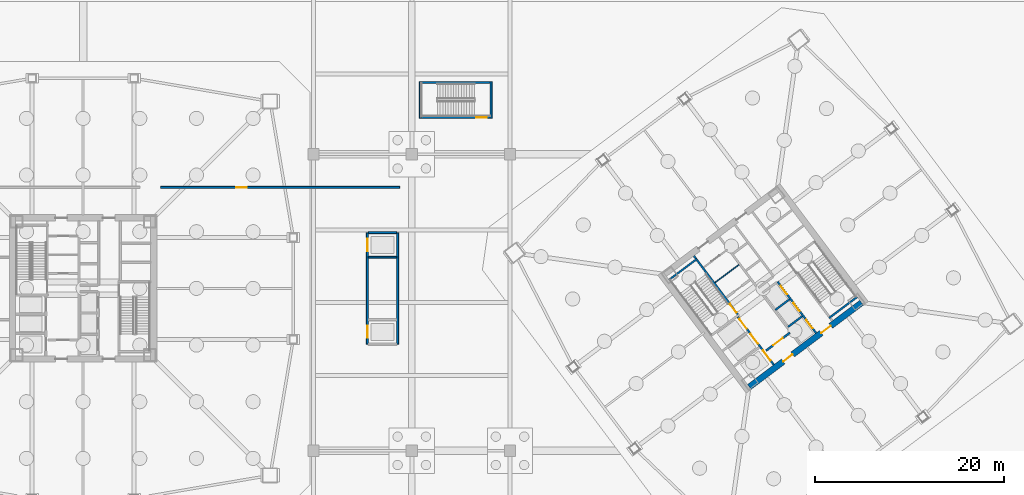
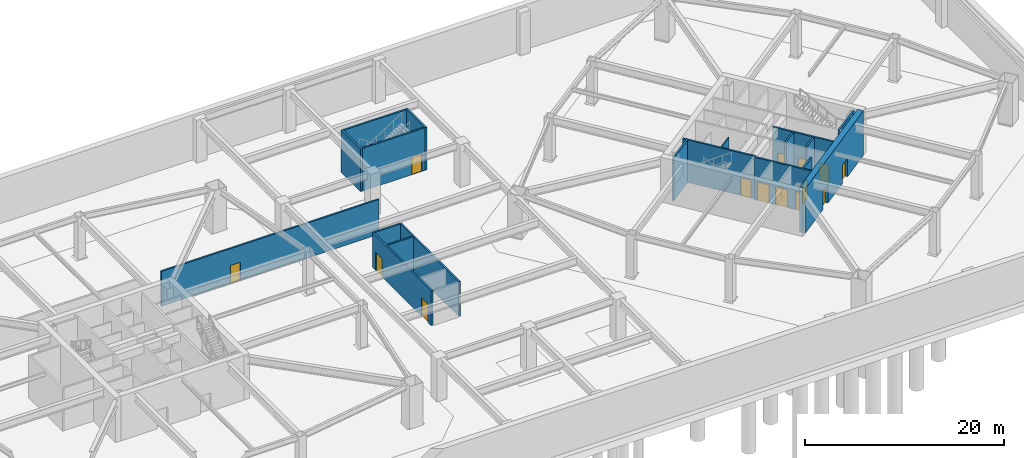
# One storey, part 11 of 19: 19 walls, 14 doors, 14 openings.
"""IFC4 building model written with IfcOpenShell, lengths in metres."""

from ifc_helpers import new_model, si_unit, direction, frame, frame_2d, origin, place, context, subcontext, project, spatial, rectangle, extrude, material, layer, layer_set, type_object, element, fill, save


model = new_model("IFC4")

# Units and contexts
model_context = context("Model", 3, precision=1e-05, world=origin(), true_north=direction((0.0, 1.0)))
body_context = subcontext(model_context, "Body", "Model", "MODEL_VIEW")
ifc_project = project(units=[si_unit("LENGTHUNIT", "METRE"), si_unit("AREAUNIT", "SQUARE_METRE"), si_unit("VOLUMEUNIT", "CUBIC_METRE"), si_unit("PLANEANGLEUNIT", "RADIAN"), si_unit("MASSUNIT", "GRAM", prefix="KILO")], contexts=[model_context])

# Site, building, storey
site_placement = place(None, origin())
site = spatial("IfcSite", under=ifc_project, at=site_placement, CompositionType="ELEMENT")
building_placement = place(site_placement, origin())
building = spatial("IfcBuilding", under=site, at=building_placement, Name="Tashvorn Skyway Center", CompositionType="ELEMENT")
storey_placement = place(building_placement, frame((0.0, 0.0, -11.0)))
storey = spatial("IfcBuildingStorey", under=building, at=storey_placement, Name="B2", CompositionType="ELEMENT", Elevation=-11.0)

# Wall, openings, doors
ifc_material_1 = material(Name="Concrete C60/75", Category="concrete")
ifc_layer_1 = layer(ifc_material_1, 0.64990234375)
ifc_layer_set_1 = layer_set([ifc_layer_1], Name="Concrete C60/75")
wall_type_1 = type_object("IfcWallType", Name="WALL-CORE-650", PredefinedType="SHEAR", material=ifc_layer_set_1)
wall_1_placement = place(storey_placement, frame((124.428955078125, 30.47802734375, 0.0), z_axis=(0.0, 0.0, 1.0), x_axis=(-0.799998028465, -0.600002628705, 0.0)))
wall_1 = element("IfcWall", 1, at=wall_1_placement, inside=storey, type_object=wall_type_1, Name="Tower 2 B2 South Core Shear Wall", PredefinedType="SHEAR", context=body_context, shape_type="SweptSolid", body=[
    extrude(rectangle(XDim=14.85986328125, YDim=0.64990234375, at=frame_2d((7.429931640625, 0.0))), origin(), (0.0, 0.0, 1.0), 5.5),
])
opening_1_placement = place(wall_1_placement, frame((9.1298828125, 0.0, 0.0)))
opening_1 = element("IfcOpeningElement", 2, at=opening_1_placement, cuts=wall_1, Name="Opening D-FFL-1250", PredefinedType="OPENING", context=body_context, shape_type="SweptSolid", body=[
    extrude(rectangle(XDim=1.25, YDim=2.25, at=frame_2d((0.625, 1.125))), frame((0.0, 0.3349609375, 0.0), z_axis=(0.0, -1.0, 0.0), x_axis=(1.0, 0.0, 0.0)), (0.0, 0.0, 1.0), 0.669921875),
])
opening_2_placement = place(wall_1_placement, frame((4.080078125, 0.0, 0.0)))
opening_2 = element("IfcOpeningElement", 3, at=opening_2_placement, cuts=wall_1, Name="Opening D-FFL-1250", PredefinedType="OPENING", context=body_context, shape_type="SweptSolid", body=[
    extrude(rectangle(XDim=1.25, YDim=2.25, at=frame_2d((0.625, 1.125))), frame((0.0, 0.3349609375, 0.0), z_axis=(0.0, -1.0, 0.0), x_axis=(1.0, 0.0, 0.0)), (0.0, 0.0, 1.0), 0.669921875),
])
ifc_material_2 = material(Name="Hollow galvanized steel fire door assembly", Category="steel")
door_type_1 = type_object("IfcDoorType", Name="DOOR-FFL-1250", OperationType="NOTDEFINED", PredefinedType="DOOR", material=ifc_material_2)
door_1_placement = place(opening_1_placement, origin())
door_1 = element("IfcDoor", 4, at=door_1_placement, inside=storey, type_object=door_type_1, Name="Tower 2 B2 Core South Firefighting Exit Door", OperationType="SINGLE_SWING_LEFT", OverallHeight=2.25, OverallWidth=1.25, PredefinedType="DOOR", context=body_context, shape_type="SweptSolid", body=[
    extrude(rectangle(XDim=1.25, YDim=2.25, at=frame_2d((0.625, 1.125))), frame((0.0, 0.02490234375, 0.0), z_axis=(0.0, -1.0, 0.0), x_axis=(1.0, 0.0, 0.0)), (0.0, 0.0, 1.0), 0.050048828125),
])
fill(opening_1, door_1)
door_2_placement = place(opening_2_placement, origin())
door_2 = element("IfcDoor", 5, at=door_2_placement, inside=storey, type_object=door_type_1, Name="Tower 2 B2 Core South Lift Lobby Door", OperationType="SINGLE_SWING_RIGHT", OverallHeight=2.25, OverallWidth=1.25, PredefinedType="DOOR", context=body_context, shape_type="SweptSolid", body=[
    extrude(rectangle(XDim=1.25, YDim=2.25, at=frame_2d((0.625, 1.125))), frame((0.0, 0.02490234375, 0.0), z_axis=(0.0, -1.0, 0.0), x_axis=(1.0, 0.0, 0.0)), (0.0, 0.0, 1.0), 0.050048828125),
])
fill(opening_2, door_2)

# Wall, opening, door
ifc_material_3 = material(Name="Concrete C40/50", Category="concrete")
ifc_layer_2 = layer(ifc_material_3, 0.219970703125)
ifc_layer_set_2 = layer_set([ifc_layer_2], Name="Concrete C40/50")
wall_type_2 = type_object("IfcWallType", Name="WALL-FFL-220", PredefinedType="SOLIDWALL", material=ifc_layer_set_2)
wall_2_placement = place(storey_placement, frame((114.31591796875, 25.412109375, 0.0), z_axis=(0.0, 0.0, 1.0), x_axis=(0.800018601094, 0.59997519774, 0.0)))
wall_2 = element("IfcWall", 6, at=wall_2_placement, inside=storey, type_object=wall_type_2, Name="Tower 2 B2 Firefighting Lobby South Wall", PredefinedType="SOLIDWALL", context=body_context, shape_type="SweptSolid", body=[
    extrude(rectangle(XDim=3.14990234375, YDim=0.219970703125, at=frame_2d((1.574951171875, 0.0))), origin(), (0.0, 0.0, 1.0), 4.282958984375),
])
opening_3_placement = place(wall_2_placement, frame((0.949951171875, 0.0, 0.0)))
opening_3 = element("IfcOpeningElement", 7, at=opening_3_placement, cuts=wall_2, Name="Opening D-FFL-1250", PredefinedType="OPENING", context=body_context, shape_type="SweptSolid", body=[
    extrude(rectangle(XDim=1.25, YDim=2.25, at=frame_2d((0.625, 1.125))), frame((0.0, 0.119873046875, 0.0), z_axis=(0.0, -1.0, 0.0), x_axis=(1.0, 0.0, 0.0)), (0.0, 0.0, 1.0), 0.239990234375),
])
door_3_placement = place(opening_3_placement, origin())
door_3 = element("IfcDoor", 8, at=door_3_placement, inside=storey, type_object=door_type_1, Name="Tower 2 B2 Firefighting Lobby Egress Door", OperationType="SINGLE_SWING_LEFT", OverallHeight=2.25, OverallWidth=1.25, PredefinedType="DOOR", context=body_context, shape_type="SweptSolid", body=[
    extrude(rectangle(XDim=1.25, YDim=2.25, at=frame_2d((0.625, 1.125))), frame((0.0, 0.02490234375, 0.0), z_axis=(0.0, -1.0, 0.0), x_axis=(1.0, 0.0, 0.0)), (0.0, 0.0, 1.0), 0.050048828125),
])
fill(opening_3, door_3)

# Wall
ifc_material_4 = material(Name="Gypsum board on cold-formed steel stud framing", Category="steel")
ifc_layer_3 = layer(ifc_material_4, 0.110107421875)
ifc_layer_set_3 = layer_set([ifc_layer_3], Name="Gypsum board on cold-formed steel stud framing")
wall_type_3 = type_object("IfcWallType", Name="WALL-RATED-110", PredefinedType="PARTITIONING", material=ifc_layer_set_3)
wall_3_placement = place(storey_placement, frame((108.909912109375, 32.6201171875, 0.0), z_axis=(0.0, 0.0, 1.0), x_axis=(0.800018601094, 0.59997519774, 0.0)))
element("IfcWall", 9, at=wall_3_placement, inside=storey, type_object=wall_type_3, Name="Tower 2 B2 Core Transverse Wall", PredefinedType="PARTITIONING", context=body_context, shape_type="SweptSolid", body=[
    extrude(rectangle(XDim=3.14990234375, YDim=0.110107421875, at=frame_2d((1.574951171875, 0.0))), origin(), (0.0, 0.0, 1.0), 4.282958984375),
])

# Wall, openings, doors
ifc_layer_4 = layer(ifc_material_3, 0.199951171875)
ifc_layer_set_4 = layer_set([ifc_layer_4], Name="Concrete C40/50")
wall_type_4 = type_object("IfcWallType", Name="WALL-SHAFT-200", PredefinedType="SOLIDWALL", material=ifc_layer_set_4)
wall_4_placement = place(storey_placement, frame((119.610107421875, 27.27001953125, 0.0), z_axis=(0.0, 0.0, 1.0), x_axis=(-0.600011488909, 0.79999138319, 0.0)))
wall_4 = element("IfcWall", 10, at=wall_4_placement, inside=storey, type_object=wall_type_4, Name="Tower 2 B2 Low-Rise Core Wall", PredefinedType="SOLIDWALL", context=body_context, shape_type="SweptSolid", body=[
    extrude(rectangle(XDim=6.800048828125, YDim=0.199951171875, at=frame_2d((3.39990234375, 0.0))), origin(), (0.0, 0.0, 1.0), 5.239990234375),
])
opening_4_placement = place(wall_4_placement, frame((0.625, 0.0, 0.0)))
opening_4 = element("IfcOpeningElement", 11, at=opening_4_placement, cuts=wall_4, Name="Opening LD-LR-T2-1-B2", PredefinedType="OPENING", context=body_context, shape_type="SweptSolid", body=[
    extrude(rectangle(XDim=1.10009765625, YDim=2.199951171875, at=frame_2d((0.550048828125, 1.10009765625))), frame((0.0, 0.10986328125, 0.0), z_axis=(0.0, -1.0, 0.0), x_axis=(1.0, 0.0, 0.0)), (0.0, 0.0, 1.0), 0.219970703125),
])
opening_5_placement = place(wall_4_placement, frame((2.875, 0.0, 0.0)))
opening_5 = element("IfcOpeningElement", 12, at=opening_5_placement, cuts=wall_4, Name="Opening LD-LR-T2-2-B2", PredefinedType="OPENING", context=body_context, shape_type="SweptSolid", body=[
    extrude(rectangle(XDim=1.10009765625, YDim=2.199951171875, at=frame_2d((0.550048828125, 1.10009765625))), frame((0.0, 0.10986328125, 0.0), z_axis=(0.0, -1.0, 0.0), x_axis=(1.0, 0.0, 0.0)), (0.0, 0.0, 1.0), 0.219970703125),
])
opening_6_placement = place(wall_4_placement, frame((5.125, 0.0, 0.0)))
opening_6 = element("IfcOpeningElement", 13, at=opening_6_placement, cuts=wall_4, Name="Opening LD-LR-T2-3-B2", PredefinedType="OPENING", context=body_context, shape_type="SweptSolid", body=[
    extrude(rectangle(XDim=1.10009765625, YDim=2.199951171875, at=frame_2d((0.550048828125, 1.10009765625))), frame((0.0, 0.10986328125, 0.0), z_axis=(0.0, -1.0, 0.0), x_axis=(1.0, 0.0, 0.0)), (0.0, 0.0, 1.0), 0.219970703125),
])
ifc_material_5 = material(Name="Stainless steel landing door", Category="steel")
door_type_2 = type_object("IfcDoorType", Name="DOOR-LIFT-1100", OperationType="SLIDING_TO_LEFT", PredefinedType="DOOR", material=ifc_material_5)
door_4_placement = place(opening_4_placement, origin())
door_4 = element("IfcDoor", 14, at=door_4_placement, inside=storey, type_object=door_type_2, Name="Lift LR-T2-1 B2 Landing Door", OperationType="SLIDING_TO_LEFT", OverallHeight=2.199951171875, OverallWidth=1.10009765625, PredefinedType="DOOR", context=body_context, shape_type="SweptSolid", body=[
    extrude(rectangle(XDim=1.10009765625, YDim=2.199951171875, at=frame_2d((0.550048828125, 1.10009765625))), frame((0.0, 0.02490234375, 0.0), z_axis=(0.0, -1.0, 0.0), x_axis=(1.0, 0.0, 0.0)), (0.0, 0.0, 1.0), 0.050048828125),
])
fill(opening_4, door_4)
door_5_placement = place(opening_5_placement, origin())
door_5 = element("IfcDoor", 15, at=door_5_placement, inside=storey, type_object=door_type_2, Name="Lift LR-T2-2 B2 Landing Door", OperationType="SLIDING_TO_LEFT", OverallHeight=2.199951171875, OverallWidth=1.10009765625, PredefinedType="DOOR", context=body_context, shape_type="SweptSolid", body=[
    extrude(rectangle(XDim=1.10009765625, YDim=2.199951171875, at=frame_2d((0.550048828125, 1.10009765625))), frame((0.0, 0.02490234375, 0.0), z_axis=(0.0, -1.0, 0.0), x_axis=(1.0, 0.0, 0.0)), (0.0, 0.0, 1.0), 0.050048828125),
])
fill(opening_5, door_5)
door_6_placement = place(opening_6_placement, origin())
door_6 = element("IfcDoor", 16, at=door_6_placement, inside=storey, type_object=door_type_2, Name="Lift LR-T2-3 B2 Landing Door", OperationType="SLIDING_TO_LEFT", OverallHeight=2.199951171875, OverallWidth=1.10009765625, PredefinedType="DOOR", context=body_context, shape_type="SweptSolid", body=[
    extrude(rectangle(XDim=1.10009765625, YDim=2.199951171875, at=frame_2d((0.550048828125, 1.10009765625))), frame((0.0, 0.02490234375, 0.0), z_axis=(0.0, -1.0, 0.0), x_axis=(1.0, 0.0, 0.0)), (0.0, 0.0, 1.0), 0.050048828125),
])
fill(opening_6, door_6)

# Walls
wall_5_placement = place(storey_placement, frame((116.64599609375, 27.922119140625, 0.0), z_axis=(0.0, 0.0, 1.0), x_axis=(0.8, 0.6, 0.0)))
element("IfcWall", 17, at=wall_5_placement, inside=storey, type_object=wall_type_4, Name="Tower 2 B2 Low-Rise Shaft Divider", PredefinedType="SOLIDWALL", context=body_context, shape_type="SweptSolid", body=[
    extrude(rectangle(XDim=1.8798828125, YDim=0.199951171875, at=frame_2d((0.93994140625, 0.0))), origin(), (0.0, 0.0, 1.0), 5.239990234375),
])
wall_6_placement = place(storey_placement, frame((115.2958984375, 29.721923828125, 0.0), z_axis=(0.0, 0.0, 1.0), x_axis=(0.799984418148, 0.600020775241, 0.0)))
element("IfcWall", 18, at=wall_6_placement, inside=storey, type_object=wall_type_4, Name="Tower 2 B2 Low-Rise Shaft Divider", PredefinedType="SOLIDWALL", context=body_context, shape_type="SweptSolid", body=[
    extrude(rectangle(XDim=1.880126953125, YDim=0.199951171875, at=frame_2d((0.93994140625, 0.0))), origin(), (0.0, 0.0, 1.0), 5.239990234375),
])

# Wall, openings, doors
wall_7_placement = place(storey_placement, frame((72.10009765625, 26.10009765625, 0.0), z_axis=(0.0, 0.0, 1.0), x_axis=(0.0, 1.0, 0.0)))
wall_7 = element("IfcWall", 19, at=wall_7_placement, inside=storey, type_object=wall_type_4, Name="B2 Station Lift Front Wall", PredefinedType="SOLIDWALL", context=body_context, shape_type="SweptSolid", body=[
    extrude(rectangle(XDim=11.7998046875, YDim=0.199951171875, at=frame_2d((5.89990234375, 0.0))), origin(), (0.0, 0.0, 1.0), 4.282958984375),
])
opening_7_placement = place(wall_7_placement, frame((0.64990234375, 0.0, 0.0)))
opening_7 = element("IfcOpeningElement", 20, at=opening_7_placement, cuts=wall_7, Name="Opening LD-STN-L1-B2", PredefinedType="OPENING", context=body_context, shape_type="SweptSolid", body=[
    extrude(rectangle(XDim=1.300048828125, YDim=2.25, at=frame_2d((0.64990234375, 1.125))), frame((0.0, 0.10986328125, 0.0), z_axis=(0.0, -1.0, 0.0), x_axis=(1.0, 0.0, 0.0)), (0.0, 0.0, 1.0), 0.219970703125),
])
opening_8_placement = place(wall_7_placement, frame((9.85009765625, 0.0, 0.0)))
opening_8 = element("IfcOpeningElement", 21, at=opening_8_placement, cuts=wall_7, Name="Opening LD-STN-L2-B2", PredefinedType="OPENING", context=body_context, shape_type="SweptSolid", body=[
    extrude(rectangle(XDim=1.300048828125, YDim=2.25, at=frame_2d((0.64990234375, 1.125))), frame((0.0, 0.10986328125, 0.0), z_axis=(0.0, -1.0, 0.0), x_axis=(1.0, 0.0, 0.0)), (0.0, 0.0, 1.0), 0.219970703125),
])
ifc_material_6 = material(Name="Stainless steel heavy-duty landing door", Category="steel")
door_type_3 = type_object("IfcDoorType", Name="DOOR-LIFT-1300", OperationType="SLIDING_TO_LEFT", PredefinedType="DOOR", material=ifc_material_6)
door_7_placement = place(opening_7_placement, origin())
door_7 = element("IfcDoor", 22, at=door_7_placement, inside=storey, type_object=door_type_3, Name="Station Lift STN-L1 B2 Landing Door", OperationType="SLIDING_TO_LEFT", OverallHeight=2.25, OverallWidth=1.300048828125, PredefinedType="DOOR", context=body_context, shape_type="SweptSolid", body=[
    extrude(rectangle(XDim=1.300048828125, YDim=2.25, at=frame_2d((0.64990234375, 1.125))), frame((0.0, 0.02490234375, 0.0), z_axis=(0.0, -1.0, 0.0), x_axis=(1.0, 0.0, 0.0)), (0.0, 0.0, 1.0), 0.050048828125),
])
fill(opening_7, door_7)
door_8_placement = place(opening_8_placement, origin())
door_8 = element("IfcDoor", 23, at=door_8_placement, inside=storey, type_object=door_type_3, Name="Station Lift STN-L2 B2 Landing Door", OperationType="SLIDING_TO_LEFT", OverallHeight=2.25, OverallWidth=1.300048828125, PredefinedType="DOOR", context=body_context, shape_type="SweptSolid", body=[
    extrude(rectangle(XDim=1.300048828125, YDim=2.25, at=frame_2d((0.64990234375, 1.125))), frame((0.0, 0.02490234375, 0.0), z_axis=(0.0, -1.0, 0.0), x_axis=(1.0, 0.0, 0.0)), (0.0, 0.0, 1.0), 0.050048828125),
])
fill(opening_8, door_8)

# Walls
wall_8_placement = place(storey_placement, frame((75.300048828125, 26.10009765625, 0.0), z_axis=(0.0, 0.0, 1.0), x_axis=(0.0, 1.0, 0.0)))
element("IfcWall", 24, at=wall_8_placement, inside=storey, type_object=wall_type_4, Name="B2 Station Lift Rear Wall", PredefinedType="SOLIDWALL", context=body_context, shape_type="SweptSolid", body=[
    extrude(rectangle(XDim=11.7998046875, YDim=0.199951171875, at=frame_2d((5.89990234375, 0.0))), origin(), (0.0, 0.0, 1.0), 4.282958984375),
])
for number, where, z_axis, x_axis, name in (
    (25, (72.199951171875, 35.300048828125, 0.0), (0.0, 0.0, 1.0), (1.0, 0.0, 0.0), "B2 Station Lift Divider"),
    (26, (72.199951171875, 37.89990234375, 0.0), (0.0, 0.0, 1.0), (1.0, 0.0, 0.0), "B2 Station Lift Divider"),
):
    element("IfcWall", number, at=place(storey_placement, frame(where, z_axis=z_axis, x_axis=x_axis)), inside=storey, type_object=wall_type_4, Name=name, PredefinedType="SOLIDWALL", context=body_context, shape_type="SweptSolid", body=[
        extrude(rectangle(XDim=3.0, YDim=0.199951171875, at=frame_2d((1.5, 0.0))), origin(), (0.0, 0.0, 1.0), 4.282958984375),
    ])

# Wall, opening, door
wall_9_placement = place(storey_placement, frame((50.199951171875, 42.699951171875, 0.0), z_axis=(0.0, 0.0, 1.0), x_axis=(1.0, 0.0, 0.0)))
wall_9 = element("IfcWall", 27, at=wall_9_placement, inside=storey, type_object=wall_type_4, Name="B2 Tank Room Wall", PredefinedType="SOLIDWALL", context=body_context, shape_type="SweptSolid", body=[
    extrude(rectangle(XDim=25.300048828125, YDim=0.199951171875, at=frame_2d((12.64990234375, 0.0))), origin(), (0.0, 0.0, 1.0), 4.282958984375),
])
opening_9_placement = place(wall_9_placement, frame((8.0, 0.0, 0.0)))
opening_9 = element("IfcOpeningElement", 28, at=opening_9_placement, cuts=wall_9, Name="Opening D-ST-1150", PredefinedType="OPENING", context=body_context, shape_type="SweptSolid", body=[
    extrude(rectangle(XDim=1.14990234375, YDim=2.199951171875, at=frame_2d((0.574951171875, 1.10009765625))), frame((0.0, 0.10986328125, 0.0), z_axis=(0.0, -1.0, 0.0), x_axis=(1.0, 0.0, 0.0)), (0.0, 0.0, 1.0), 0.219970703125),
])
door_type_4 = type_object("IfcDoorType", Name="DOOR-STAIR-1150", OperationType="NOTDEFINED", PredefinedType="DOOR", material=ifc_material_2)
door_9_placement = place(opening_9_placement, origin())
door_9 = element("IfcDoor", 29, at=door_9_placement, inside=storey, type_object=door_type_4, Name="B2 Tank Room Door", OperationType="SINGLE_SWING_LEFT", OverallHeight=2.199951171875, OverallWidth=1.14990234375, PredefinedType="DOOR", context=body_context, shape_type="SweptSolid", body=[
    extrude(rectangle(XDim=1.14990234375, YDim=2.199951171875, at=frame_2d((0.574951171875, 1.10009765625))), frame((0.0, 0.02490234375, 0.0), z_axis=(0.0, -1.0, 0.0), x_axis=(1.0, 0.0, 0.0)), (0.0, 0.0, 1.0), 0.050048828125),
])
fill(opening_9, door_9)

ifc_layer_5 = layer(ifc_material_3, 0.199951171875)
ifc_layer_set_5 = layer_set([ifc_layer_5], Name="Concrete C40/50")
wall_type_5 = type_object("IfcWallType", Name="WALL-STSHF-200", PredefinedType="SHEAR", material=ifc_layer_set_5)
wall_10_placement = place(storey_placement, frame((111.43994140625, 29.080078125, 0.0), z_axis=(0.0, 0.0, 1.0), x_axis=(-0.600009827119, 0.799992629566, 0.0)))
wall_10 = element("IfcWall", 30, at=wall_10_placement, inside=storey, type_object=wall_type_5, Name="Tower 2 B2 Stair 1 Enclosure Wall", PredefinedType="SHEAR", context=body_context, shape_type="SweptSolid", body=[
    extrude(rectangle(XDim=7.949951171875, YDim=0.199951171875, at=frame_2d((3.97509765625, 0.0))), origin(), (0.0, 0.0, 1.0), 5.239990234375),
])
opening_10_placement = place(wall_10_placement, frame((0.449951171875, 0.0, 0.0)))
opening_10 = element("IfcOpeningElement", 31, at=opening_10_placement, cuts=wall_10, Name="Opening D-ST-1150", PredefinedType="OPENING", context=body_context, shape_type="SweptSolid", body=[
    extrude(rectangle(XDim=1.14990234375, YDim=2.199951171875, at=frame_2d((0.574951171875, 1.10009765625))), frame((0.0, 0.10986328125, 0.0), z_axis=(0.0, -1.0, 0.0), x_axis=(1.0, 0.0, 0.0)), (0.0, 0.0, 1.0), 0.219970703125),
])
door_10_placement = place(opening_10_placement, origin())
door_10 = element("IfcDoor", 32, at=door_10_placement, inside=storey, type_object=door_type_4, Name="Tower 2 B2 Exit Stair 1 Door", OperationType="SINGLE_SWING_RIGHT", OverallHeight=2.199951171875, OverallWidth=1.14990234375, PredefinedType="DOOR", context=body_context, shape_type="SweptSolid", body=[
    extrude(rectangle(XDim=1.14990234375, YDim=2.199951171875, at=frame_2d((0.574951171875, 1.10009765625))), frame((0.0, 0.02490234375, 0.0), z_axis=(0.0, -1.0, 0.0), x_axis=(1.0, 0.0, 0.0)), (0.0, 0.0, 1.0), 0.050048828125),
])
fill(opening_10, door_10)

# Walls
for number, where, z_axis, x_axis, name in (
    (33, (104.035888671875, 32.902099609375, 0.0), (0.0, 0.0, 1.0), (0.800039270442, 0.59994763584, 0.0), "Tower 2 B2 Stair 1 North Wall"),
    (34, (120.97998046875, 28.860107421875, 0.0), (0.0, 0.0, 1.0), (0.800039270442, 0.59994763584, 0.0), "Tower 2 B2 Stair 2 South Wall"),
):
    element("IfcWall", number, at=place(storey_placement, frame(where, z_axis=z_axis, x_axis=x_axis)), inside=storey, type_object=wall_type_5, Name=name, PredefinedType="SHEAR", context=body_context, shape_type="SweptSolid", body=[
        extrude(rectangle(XDim=3.72998046875, YDim=0.199951171875, at=frame_2d((1.864990234375, 0.0))), origin(), (0.0, 0.0, 1.0), 5.239990234375),
    ])

# Wall, openings, doors
wall_11_placement = place(storey_placement, frame((115.1298828125, 23.909912109375, 0.0), z_axis=(0.0, 0.0, 1.0), x_axis=(-0.599975393228, 0.800018454488, 0.0)))
wall_11 = element("IfcWall", 35, at=wall_11_placement, inside=storey, type_object=wall_type_5, Name="Tower 2 B2 FSAE and Goods Shaft Front Wall", PredefinedType="SHEAR", context=body_context, shape_type="SweptSolid", body=[
    extrude(rectangle(XDim=6.349853515625, YDim=0.199951171875, at=frame_2d((3.1748046875, 0.0))), origin(), (0.0, 0.0, 1.0), 5.239990234375),
])
opening_11_placement = place(wall_11_placement, frame((4.77490234375, 0.0, 0.0)))
opening_11 = element("IfcOpeningElement", 36, at=opening_11_placement, cuts=wall_11, Name="Opening LD-FF-T2-1-B2", PredefinedType="OPENING", context=body_context, shape_type="SweptSolid", body=[
    extrude(rectangle(XDim=1.300048828125, YDim=2.25, at=frame_2d((0.64990234375, 1.125))), frame((0.0, 0.10986328125, 0.0), z_axis=(0.0, -1.0, 0.0), x_axis=(1.0, 0.0, 0.0)), (0.0, 0.0, 1.0), 0.219970703125),
])
opening_12_placement = place(wall_11_placement, frame((2.77490234375, 0.0, 0.0)))
opening_12 = element("IfcOpeningElement", 37, at=opening_12_placement, cuts=wall_11, Name="Opening LD-FF-T2-2-B2", PredefinedType="OPENING", context=body_context, shape_type="SweptSolid", body=[
    extrude(rectangle(XDim=1.300048828125, YDim=2.25, at=frame_2d((0.64990234375, 1.125))), frame((0.0, 0.10986328125, 0.0), z_axis=(0.0, -1.0, 0.0), x_axis=(1.0, 0.0, 0.0)), (0.0, 0.0, 1.0), 0.219970703125),
])
opening_13_placement = place(wall_11_placement, frame((0.574951171875, 0.0, 0.0)))
opening_13 = element("IfcOpeningElement", 38, at=opening_13_placement, cuts=wall_11, Name="Opening LD-GD-T2-1-B2", PredefinedType="OPENING", context=body_context, shape_type="SweptSolid", body=[
    extrude(rectangle(XDim=1.300048828125, YDim=2.25, at=frame_2d((0.64990234375, 1.125))), frame((0.0, 0.10986328125, 0.0), z_axis=(0.0, -1.0, 0.0), x_axis=(1.0, 0.0, 0.0)), (0.0, 0.0, 1.0), 0.219970703125),
])
door_11_placement = place(opening_11_placement, origin())
door_11 = element("IfcDoor", 39, at=door_11_placement, inside=storey, type_object=door_type_3, Name="Lift FF-T2-1 B2 Landing Door", OperationType="SLIDING_TO_LEFT", OverallHeight=2.25, OverallWidth=1.300048828125, PredefinedType="DOOR", context=body_context, shape_type="SweptSolid", body=[
    extrude(rectangle(XDim=1.300048828125, YDim=2.25, at=frame_2d((0.64990234375, 1.125))), frame((0.0, 0.02490234375, 0.0), z_axis=(0.0, -1.0, 0.0), x_axis=(1.0, 0.0, 0.0)), (0.0, 0.0, 1.0), 0.050048828125),
])
fill(opening_11, door_11)
door_12_placement = place(opening_12_placement, origin())
door_12 = element("IfcDoor", 40, at=door_12_placement, inside=storey, type_object=door_type_3, Name="Lift FF-T2-2 B2 Landing Door", OperationType="SLIDING_TO_LEFT", OverallHeight=2.25, OverallWidth=1.300048828125, PredefinedType="DOOR", context=body_context, shape_type="SweptSolid", body=[
    extrude(rectangle(XDim=1.300048828125, YDim=2.25, at=frame_2d((0.64990234375, 1.125))), frame((0.0, 0.02490234375, 0.0), z_axis=(0.0, -1.0, 0.0), x_axis=(1.0, 0.0, 0.0)), (0.0, 0.0, 1.0), 0.050048828125),
])
fill(opening_12, door_12)
door_13_placement = place(opening_13_placement, origin())
door_13 = element("IfcDoor", 41, at=door_13_placement, inside=storey, type_object=door_type_3, Name="Lift GD-T2-1 B2 Landing Door", OperationType="SLIDING_TO_LEFT", OverallHeight=2.25, OverallWidth=1.300048828125, PredefinedType="DOOR", context=body_context, shape_type="SweptSolid", body=[
    extrude(rectangle(XDim=1.300048828125, YDim=2.25, at=frame_2d((0.64990234375, 1.125))), frame((0.0, 0.02490234375, 0.0), z_axis=(0.0, -1.0, 0.0), x_axis=(1.0, 0.0, 0.0)), (0.0, 0.0, 1.0), 0.050048828125),
])
fill(opening_13, door_13)

# Wall, opening, door
wall_12_placement = place(storey_placement, frame((77.60009765625, 50.10009765625, 0.0), z_axis=(0.0, 0.0, 1.0), x_axis=(1.0, 0.0, 0.0)))
wall_12 = element("IfcWall", 42, at=wall_12_placement, inside=storey, type_object=wall_type_5, Name="B2 Podium Stair 2 South Wall", PredefinedType="SHEAR", context=body_context, shape_type="SweptSolid", body=[
    extrude(rectangle(XDim=7.699951171875, YDim=0.199951171875, at=frame_2d((3.85009765625, 0.0))), origin(), (0.0, 0.0, 1.0), 5.239990234375),
])
opening_14_placement = place(wall_12_placement, frame((6.0, 0.0, 0.0)))
opening_14 = element("IfcOpeningElement", 43, at=opening_14_placement, cuts=wall_12, Name="Opening D-ST-1150", PredefinedType="OPENING", context=body_context, shape_type="SweptSolid", body=[
    extrude(rectangle(XDim=1.14990234375, YDim=2.199951171875, at=frame_2d((0.574951171875, 1.10009765625))), frame((0.0, 0.10986328125, 0.0), z_axis=(0.0, -1.0, 0.0), x_axis=(1.0, 0.0, 0.0)), (0.0, 0.0, 1.0), 0.219970703125),
])
door_14_placement = place(opening_14_placement, origin())
door_14 = element("IfcDoor", 44, at=door_14_placement, inside=storey, type_object=door_type_4, Name="B2 Podium Stair 2 Door", OperationType="SINGLE_SWING_RIGHT", OverallHeight=2.199951171875, OverallWidth=1.14990234375, PredefinedType="DOOR", context=body_context, shape_type="SweptSolid", body=[
    extrude(rectangle(XDim=1.14990234375, YDim=2.199951171875, at=frame_2d((0.574951171875, 1.10009765625))), frame((0.0, 0.02490234375, 0.0), z_axis=(0.0, -1.0, 0.0), x_axis=(1.0, 0.0, 0.0)), (0.0, 0.0, 1.0), 0.050048828125),
])
fill(opening_14, door_14)

# Walls
wall_13_placement = place(storey_placement, frame((77.60009765625, 53.800048828125, 0.0), z_axis=(0.0, 0.0, 1.0), x_axis=(1.0, 0.0, 0.0)))
element("IfcWall", 45, at=wall_13_placement, inside=storey, type_object=wall_type_5, Name="B2 Podium Stair 2 North Wall", PredefinedType="SHEAR", context=body_context, shape_type="SweptSolid", body=[
    extrude(rectangle(XDim=7.699951171875, YDim=0.199951171875, at=frame_2d((3.85009765625, 0.0))), origin(), (0.0, 0.0, 1.0), 5.239990234375),
])
for number, where, z_axis, x_axis, name in (
    (46, (77.699951171875, 50.0, 0.0), (0.0, 0.0, 1.0), (0.0, 1.0, 0.0), "B2 Podium Stair 2 West Wall"),
    (47, (85.199951171875, 50.0, 0.0), (0.0, 0.0, 1.0), (0.0, 1.0, 0.0), "B2 Podium Stair 2 East Wall"),
):
    element("IfcWall", number, at=place(storey_placement, frame(where, z_axis=z_axis, x_axis=x_axis)), inside=storey, type_object=wall_type_5, Name=name, PredefinedType="SHEAR", context=body_context, shape_type="SweptSolid", body=[
        extrude(rectangle(XDim=3.89990234375, YDim=0.199951171875, at=frame_2d((1.949951171875, 0.0))), origin(), (0.0, 0.0, 1.0), 5.239990234375),
    ])

save(model, "model.ifc")
